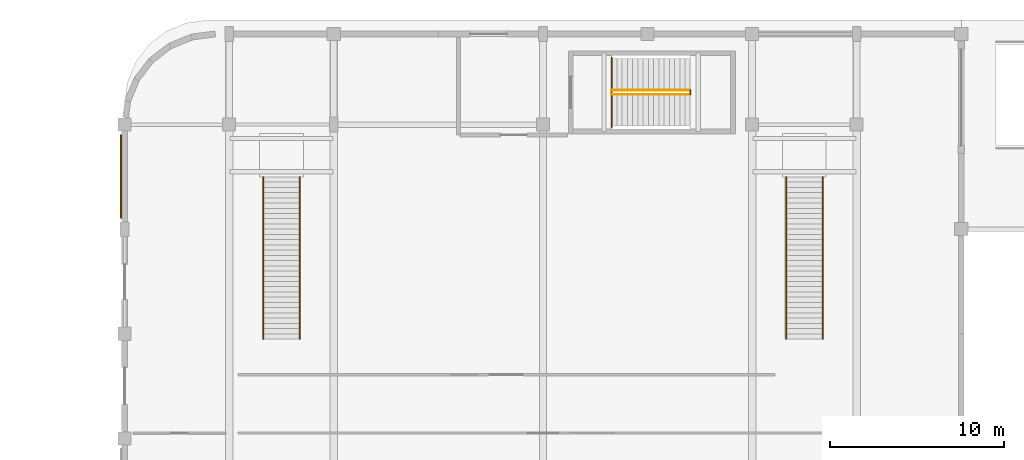
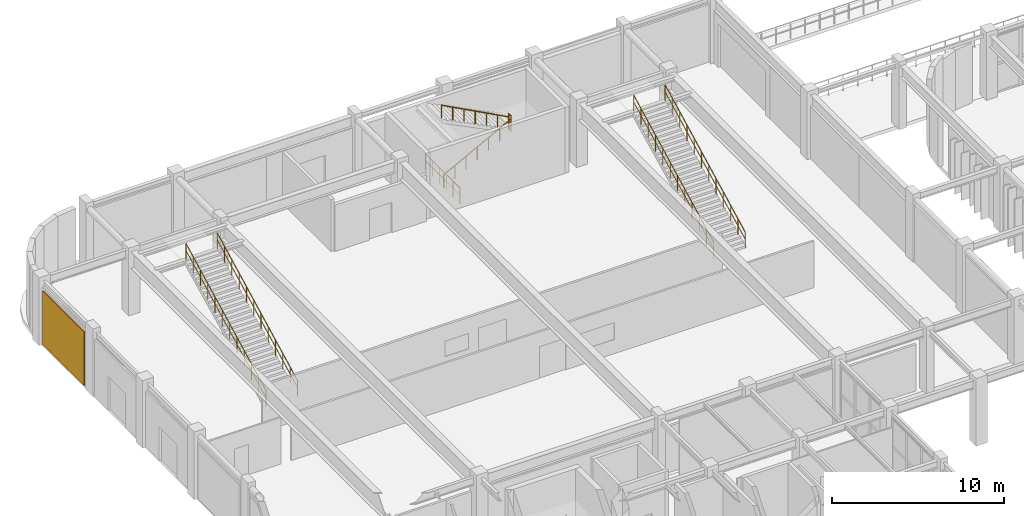
# One storey, part 70 of 76: 8 railings, 1 shading device.
"""IFC4 building model written with IfcOpenShell, lengths in metres."""

from ifc_helpers import new_model, si_unit, direction, frame, origin, origin_2d, place, context, subcontext, project, spatial, rectangle, circle, extrude, material, layer, layer_set, type_object, element, save


model = new_model("IFC4")

# Units and contexts
model_context = context("Model", 3, precision=1e-05, world=origin(), true_north=direction((0.0, 1.0)))
body_context = subcontext(model_context, "Body", "Model", "MODEL_VIEW")
ifc_project = project(units=[si_unit("LENGTHUNIT", "METRE"), si_unit("AREAUNIT", "SQUARE_METRE"), si_unit("VOLUMEUNIT", "CUBIC_METRE"), si_unit("PLANEANGLEUNIT", "RADIAN"), si_unit("MASSUNIT", "GRAM", prefix="KILO")], contexts=[model_context])

# Site, building, storey
site_placement = place(None, origin())
site = spatial("IfcSite", under=ifc_project, at=site_placement, CompositionType="ELEMENT")
building_placement = place(site_placement, origin())
building = spatial("IfcBuilding", under=site, at=building_placement, Name="Varnakota Square Police Headquarters", CompositionType="ELEMENT")
storey_placement = place(building_placement, origin())
storey = spatial("IfcBuildingStorey", under=building, at=storey_placement, Name="L00", CompositionType="ELEMENT", Elevation=0.0)

# Railings
ifc_material_1 = material(Name="Brushed Stainless Steel Tubular Handrail", Category="steel")
railing_type_1 = type_object("IfcRailingType", Name="RL-HND-920", PredefinedType="HANDRAIL", material=ifc_material_1)
railing_1_placement = place(storey_placement, frame((33.949951171875, 106.72998046875, 0.0)))
element("IfcRailing", 1, at=railing_1_placement, inside=storey, type_object=railing_type_1, Name="Stair flight handrail HR-L00-077", PredefinedType="HANDRAIL", context=body_context, shape_type="SweptSolid", body=[
    extrude(circle(Radius=0.02392578125, at=origin_2d()), frame((0.0, 0.0, 0.89599609375), z_axis=(0.882392687573, 0.0, 0.470513703219), x_axis=(0.0, 1.0, 0.0)), (0.0, 0.0, 1.0), 5.1005859375),
    extrude(circle(Radius=0.02099609375, at=origin_2d()), origin(), (0.0, 0.0, 1.0), 0.871826171875),
    extrude(circle(Radius=0.02099609375, at=origin_2d()), frame((0.75, 0.0, 0.39990234375)), (0.0, 0.0, 1.0), 0.871826171875),
    extrude(circle(Radius=0.02099609375, at=origin_2d()), frame((1.500244140625, 0.0, 0.800048828125)), (0.0, 0.0, 1.0), 0.871826171875),
    extrude(circle(Radius=0.02099609375, at=origin_2d()), frame((2.25048828125, 0.0, 1.199951171875)), (0.0, 0.0, 1.0), 0.871826171875),
    extrude(circle(Radius=0.02099609375, at=origin_2d()), frame((3.00048828125, 0.0, 1.599853515625)), (0.0, 0.0, 1.0), 0.871826171875),
    extrude(circle(Radius=0.02099609375, at=origin_2d()), frame((3.75048828125, 0.0, 2.0)), (0.0, 0.0, 1.0), 0.871826171875),
    extrude(circle(Radius=0.02099609375, at=origin_2d()), frame((4.500732421875, 0.0, 2.39990234375)), (0.0, 0.0, 1.0), 0.871826171875),
])
railing_2_placement = place(storey_placement, frame((38.45068359375, 106.969970703125, 2.39990234375)))
element("IfcRailing", 2, at=railing_2_placement, inside=storey, type_object=railing_type_1, Name="Stair flight handrail HR-L00-078", PredefinedType="HANDRAIL", context=body_context, shape_type="SweptSolid", body=[
    extrude(circle(Radius=0.02392578125, at=origin_2d()), frame((0.0, 0.0, 0.89599609375), z_axis=(-0.882372814714, 0.0, 0.470550970516), x_axis=(0.0, -1.0, 0.0)), (0.0, 0.0, 1.0), 5.100830078125),
    extrude(circle(Radius=0.02099609375, at=origin_2d()), origin(), (0.0, 0.0, 1.0), 0.871826171875),
    extrude(circle(Radius=0.02099609375, at=origin_2d()), frame((-0.75, 0.0, 0.39990234375)), (0.0, 0.0, 1.0), 0.871826171875),
    extrude(circle(Radius=0.02099609375, at=origin_2d()), frame((-1.500244140625, 0.0, 0.800048828125)), (0.0, 0.0, 1.0), 0.871826171875),
    extrude(circle(Radius=0.02099609375, at=origin_2d()), frame((-2.25048828125, 0.0, 1.2001953125)), (0.0, 0.0, 1.0), 0.871826171875),
    extrude(circle(Radius=0.02099609375, at=origin_2d()), frame((-3.00048828125, 0.0, 1.60009765625)), (0.0, 0.0, 1.0), 0.871826171875),
    extrude(circle(Radius=0.02099609375, at=origin_2d()), frame((-3.75048828125, 0.0, 2.0)), (0.0, 0.0, 1.0), 0.871826171875),
    extrude(circle(Radius=0.02099609375, at=origin_2d()), frame((-4.500732421875, 0.0, 2.400146484375)), (0.0, 0.0, 1.0), 0.871826171875),
])
railing_3_placement = place(storey_placement, frame((13.949951171875, 92.698486328125, 0.0)))
element("IfcRailing", 3, at=railing_3_placement, inside=storey, type_object=railing_type_1, Name="Feature stair guard-handrail ST-AUD1-L", PredefinedType="HANDRAIL", context=body_context, shape_type="SweptSolid", body=[
    extrude(circle(Radius=0.02392578125, at=origin_2d()), frame((0.0, 0.0, 1.1259765625), z_axis=(0.0, 0.888649173997, 0.45858766398), x_axis=(-1.0, 0.0, 0.0)), (0.0, 0.0, 1.0), 10.467041015625),
    extrude(circle(Radius=0.01806640625, at=origin_2d()), frame((0.0, 0.0, 0.63232421875), z_axis=(0.0, 0.888649173997, 0.45858766398), x_axis=(-1.0, 0.0, 0.0)), (0.0, 0.0, 1.0), 10.467041015625),
    extrude(circle(Radius=0.02099609375, at=origin_2d()), origin(), (0.0, 0.0, 1.0), 1.101806640625),
    extrude(circle(Radius=0.02099609375, at=origin_2d()), frame((0.0, 0.845703125, 0.436279296875)), (0.0, 0.0, 1.0), 1.101806640625),
    extrude(circle(Radius=0.02099609375, at=origin_2d()), frame((0.0, 1.691162109375, 0.872802734375)), (0.0, 0.0, 1.0), 1.101806640625),
    extrude(circle(Radius=0.02099609375, at=origin_2d()), frame((0.0, 2.536865234375, 1.30908203125)), (0.0, 0.0, 1.0), 1.101806640625),
    extrude(circle(Radius=0.02099609375, at=origin_2d()), frame((0.0, 3.38232421875, 1.745361328125)), (0.0, 0.0, 1.0), 1.101806640625),
    extrude(circle(Radius=0.02099609375, at=origin_2d()), frame((0.0, 4.22802734375, 2.181884765625)), (0.0, 0.0, 1.0), 1.101806640625),
    extrude(circle(Radius=0.02099609375, at=origin_2d()), frame((0.0, 5.073486328125, 2.6181640625)), (0.0, 0.0, 1.0), 1.101806640625),
    extrude(circle(Radius=0.02099609375, at=origin_2d()), frame((0.0, 5.919189453125, 3.0546875)), (0.0, 0.0, 1.0), 1.101806640625),
    extrude(circle(Radius=0.02099609375, at=origin_2d()), frame((0.0, 6.7646484375, 3.490966796875)), (0.0, 0.0, 1.0), 1.101806640625),
    extrude(circle(Radius=0.02099609375, at=origin_2d()), frame((0.0, 7.6103515625, 3.92724609375)), (0.0, 0.0, 1.0), 1.101806640625),
    extrude(circle(Radius=0.02099609375, at=origin_2d()), frame((0.0, 8.455810546875, 4.36376953125)), (0.0, 0.0, 1.0), 1.101806640625),
    extrude(circle(Radius=0.02099609375, at=origin_2d()), frame((0.0, 9.301513671875, 4.800048828125)), (0.0, 0.0, 1.0), 1.101806640625),
])
railing_4_placement = place(storey_placement, frame((16.050048828125, 92.698486328125, 0.0)))
element("IfcRailing", 4, at=railing_4_placement, inside=storey, type_object=railing_type_1, Name="Feature stair guard-handrail ST-AUD1-R", PredefinedType="HANDRAIL", context=body_context, shape_type="SweptSolid", body=[
    extrude(circle(Radius=0.02392578125, at=origin_2d()), frame((0.0, 0.0, 1.1259765625), z_axis=(0.0, 0.888649173997, 0.45858766398), x_axis=(-1.0, 0.0, 0.0)), (0.0, 0.0, 1.0), 10.467041015625),
    extrude(circle(Radius=0.01806640625, at=origin_2d()), frame((0.0, 0.0, 0.63232421875), z_axis=(0.0, 0.888649173997, 0.45858766398), x_axis=(-1.0, 0.0, 0.0)), (0.0, 0.0, 1.0), 10.467041015625),
    extrude(circle(Radius=0.02099609375, at=origin_2d()), origin(), (0.0, 0.0, 1.0), 1.101806640625),
    extrude(circle(Radius=0.02099609375, at=origin_2d()), frame((0.0, 0.845703125, 0.436279296875)), (0.0, 0.0, 1.0), 1.101806640625),
    extrude(circle(Radius=0.02099609375, at=origin_2d()), frame((0.0, 1.691162109375, 0.872802734375)), (0.0, 0.0, 1.0), 1.101806640625),
    extrude(circle(Radius=0.02099609375, at=origin_2d()), frame((0.0, 2.536865234375, 1.30908203125)), (0.0, 0.0, 1.0), 1.101806640625),
    extrude(circle(Radius=0.02099609375, at=origin_2d()), frame((0.0, 3.38232421875, 1.745361328125)), (0.0, 0.0, 1.0), 1.101806640625),
    extrude(circle(Radius=0.02099609375, at=origin_2d()), frame((0.0, 4.22802734375, 2.181884765625)), (0.0, 0.0, 1.0), 1.101806640625),
    extrude(circle(Radius=0.02099609375, at=origin_2d()), frame((0.0, 5.073486328125, 2.6181640625)), (0.0, 0.0, 1.0), 1.101806640625),
    extrude(circle(Radius=0.02099609375, at=origin_2d()), frame((0.0, 5.919189453125, 3.0546875)), (0.0, 0.0, 1.0), 1.101806640625),
    extrude(circle(Radius=0.02099609375, at=origin_2d()), frame((0.0, 6.7646484375, 3.490966796875)), (0.0, 0.0, 1.0), 1.101806640625),
    extrude(circle(Radius=0.02099609375, at=origin_2d()), frame((0.0, 7.6103515625, 3.92724609375)), (0.0, 0.0, 1.0), 1.101806640625),
    extrude(circle(Radius=0.02099609375, at=origin_2d()), frame((0.0, 8.455810546875, 4.36376953125)), (0.0, 0.0, 1.0), 1.101806640625),
    extrude(circle(Radius=0.02099609375, at=origin_2d()), frame((0.0, 9.301513671875, 4.800048828125)), (0.0, 0.0, 1.0), 1.101806640625),
])
railing_5_placement = place(storey_placement, frame((43.949951171875, 92.698486328125, 0.0)))
element("IfcRailing", 5, at=railing_5_placement, inside=storey, type_object=railing_type_1, Name="Feature stair guard-handrail ST-AUD2-L", PredefinedType="HANDRAIL", context=body_context, shape_type="SweptSolid", body=[
    extrude(circle(Radius=0.02392578125, at=origin_2d()), frame((0.0, 0.0, 1.1259765625), z_axis=(0.0, 0.888649173997, 0.45858766398), x_axis=(-1.0, 0.0, 0.0)), (0.0, 0.0, 1.0), 10.467041015625),
    extrude(circle(Radius=0.01806640625, at=origin_2d()), frame((0.0, 0.0, 0.63232421875), z_axis=(0.0, 0.888649173997, 0.45858766398), x_axis=(-1.0, 0.0, 0.0)), (0.0, 0.0, 1.0), 10.467041015625),
    extrude(circle(Radius=0.02099609375, at=origin_2d()), origin(), (0.0, 0.0, 1.0), 1.101806640625),
    extrude(circle(Radius=0.02099609375, at=origin_2d()), frame((0.0, 0.845703125, 0.436279296875)), (0.0, 0.0, 1.0), 1.101806640625),
    extrude(circle(Radius=0.02099609375, at=origin_2d()), frame((0.0, 1.691162109375, 0.872802734375)), (0.0, 0.0, 1.0), 1.101806640625),
    extrude(circle(Radius=0.02099609375, at=origin_2d()), frame((0.0, 2.536865234375, 1.30908203125)), (0.0, 0.0, 1.0), 1.101806640625),
    extrude(circle(Radius=0.02099609375, at=origin_2d()), frame((0.0, 3.38232421875, 1.745361328125)), (0.0, 0.0, 1.0), 1.101806640625),
    extrude(circle(Radius=0.02099609375, at=origin_2d()), frame((0.0, 4.22802734375, 2.181884765625)), (0.0, 0.0, 1.0), 1.101806640625),
    extrude(circle(Radius=0.02099609375, at=origin_2d()), frame((0.0, 5.073486328125, 2.6181640625)), (0.0, 0.0, 1.0), 1.101806640625),
    extrude(circle(Radius=0.02099609375, at=origin_2d()), frame((0.0, 5.919189453125, 3.0546875)), (0.0, 0.0, 1.0), 1.101806640625),
    extrude(circle(Radius=0.02099609375, at=origin_2d()), frame((0.0, 6.7646484375, 3.490966796875)), (0.0, 0.0, 1.0), 1.101806640625),
    extrude(circle(Radius=0.02099609375, at=origin_2d()), frame((0.0, 7.6103515625, 3.92724609375)), (0.0, 0.0, 1.0), 1.101806640625),
    extrude(circle(Radius=0.02099609375, at=origin_2d()), frame((0.0, 8.455810546875, 4.36376953125)), (0.0, 0.0, 1.0), 1.101806640625),
    extrude(circle(Radius=0.02099609375, at=origin_2d()), frame((0.0, 9.301513671875, 4.800048828125)), (0.0, 0.0, 1.0), 1.101806640625),
])
railing_6_placement = place(storey_placement, frame((46.050048828125, 92.698486328125, 0.0)))
element("IfcRailing", 6, at=railing_6_placement, inside=storey, type_object=railing_type_1, Name="Feature stair guard-handrail ST-AUD2-R", PredefinedType="HANDRAIL", context=body_context, shape_type="SweptSolid", body=[
    extrude(circle(Radius=0.02392578125, at=origin_2d()), frame((0.0, 0.0, 1.1259765625), z_axis=(0.0, 0.888649173997, 0.45858766398), x_axis=(-1.0, 0.0, 0.0)), (0.0, 0.0, 1.0), 10.467041015625),
    extrude(circle(Radius=0.01806640625, at=origin_2d()), frame((0.0, 0.0, 0.63232421875), z_axis=(0.0, 0.888649173997, 0.45858766398), x_axis=(-1.0, 0.0, 0.0)), (0.0, 0.0, 1.0), 10.467041015625),
    extrude(circle(Radius=0.02099609375, at=origin_2d()), origin(), (0.0, 0.0, 1.0), 1.101806640625),
    extrude(circle(Radius=0.02099609375, at=origin_2d()), frame((0.0, 0.845703125, 0.436279296875)), (0.0, 0.0, 1.0), 1.101806640625),
    extrude(circle(Radius=0.02099609375, at=origin_2d()), frame((0.0, 1.691162109375, 0.872802734375)), (0.0, 0.0, 1.0), 1.101806640625),
    extrude(circle(Radius=0.02099609375, at=origin_2d()), frame((0.0, 2.536865234375, 1.30908203125)), (0.0, 0.0, 1.0), 1.101806640625),
    extrude(circle(Radius=0.02099609375, at=origin_2d()), frame((0.0, 3.38232421875, 1.745361328125)), (0.0, 0.0, 1.0), 1.101806640625),
    extrude(circle(Radius=0.02099609375, at=origin_2d()), frame((0.0, 4.22802734375, 2.181884765625)), (0.0, 0.0, 1.0), 1.101806640625),
    extrude(circle(Radius=0.02099609375, at=origin_2d()), frame((0.0, 5.073486328125, 2.6181640625)), (0.0, 0.0, 1.0), 1.101806640625),
    extrude(circle(Radius=0.02099609375, at=origin_2d()), frame((0.0, 5.919189453125, 3.0546875)), (0.0, 0.0, 1.0), 1.101806640625),
    extrude(circle(Radius=0.02099609375, at=origin_2d()), frame((0.0, 6.7646484375, 3.490966796875)), (0.0, 0.0, 1.0), 1.101806640625),
    extrude(circle(Radius=0.02099609375, at=origin_2d()), frame((0.0, 7.6103515625, 3.92724609375)), (0.0, 0.0, 1.0), 1.101806640625),
    extrude(circle(Radius=0.02099609375, at=origin_2d()), frame((0.0, 8.455810546875, 4.36376953125)), (0.0, 0.0, 1.0), 1.101806640625),
    extrude(circle(Radius=0.02099609375, at=origin_2d()), frame((0.0, 9.301513671875, 4.800048828125)), (0.0, 0.0, 1.0), 1.101806640625),
])
ifc_material_2 = material(Name="Laminated Glass and Stainless Steel Balustrade", Category="steel")
railing_type_2 = type_object("IfcRailingType", Name="RL-INT-1150", PredefinedType="BALUSTRADE", material=ifc_material_2)
railing_7_placement = place(storey_placement, frame((33.949951171875, 104.840087890625, 0.0)))
element("IfcRailing", 7, at=railing_7_placement, inside=storey, type_object=railing_type_2, Name="Stair well safety guard C7 L00", PredefinedType="BALUSTRADE", context=body_context, shape_type="SweptSolid", body=[
    extrude(circle(Radius=0.02392578125, at=origin_2d()), frame((0.0, 0.0, 1.1259765625), z_axis=(0.0, 1.0, 0.0), x_axis=(-1.0, 0.0, 0.0)), (0.0, 0.0, 1.0), 4.02001953125),
    extrude(circle(Radius=0.01806640625, at=origin_2d()), frame((0.0, 0.0, 0.63232421875), z_axis=(0.0, 1.0, 0.0), x_axis=(-1.0, 0.0, 0.0)), (0.0, 0.0, 1.0), 4.02001953125),
    extrude(circle(Radius=0.02099609375, at=origin_2d()), origin(), (0.0, 0.0, 1.0), 1.101806640625),
    extrude(circle(Radius=0.02099609375, at=origin_2d()), frame((0.0, 0.803955078125, 0.0)), (0.0, 0.0, 1.0), 1.101806640625),
    extrude(circle(Radius=0.02099609375, at=origin_2d()), frame((0.0, 1.60791015625, 0.0)), (0.0, 0.0, 1.0), 1.101806640625),
    extrude(circle(Radius=0.02099609375, at=origin_2d()), frame((0.0, 2.412109375, 0.0)), (0.0, 0.0, 1.0), 1.101806640625),
    extrude(circle(Radius=0.02099609375, at=origin_2d()), frame((0.0, 3.216064453125, 0.0)), (0.0, 0.0, 1.0), 1.101806640625),
    extrude(circle(Radius=0.02099609375, at=origin_2d()), frame((0.0, 4.02001953125, 0.0)), (0.0, 0.0, 1.0), 1.101806640625),
])
railing_8_placement = place(storey_placement, frame((38.45068359375, 106.719970703125, 2.39990234375)))
element("IfcRailing", 8, at=railing_8_placement, inside=storey, type_object=railing_type_2, Name="Half-landing well guard C7 L00", PredefinedType="BALUSTRADE", context=body_context, shape_type="SweptSolid", body=[
    extrude(circle(Radius=0.02392578125, at=origin_2d()), frame((0.0, 0.0, 1.1259765625), z_axis=(0.0, 1.0, 0.0), x_axis=(-1.0, 0.0, 0.0)), (0.0, 0.0, 1.0), 0.260009765625),
    extrude(circle(Radius=0.01806640625, at=origin_2d()), frame((0.0, 0.0, 0.63232421875), z_axis=(0.0, 1.0, 0.0), x_axis=(-1.0, 0.0, 0.0)), (0.0, 0.0, 1.0), 0.260009765625),
    extrude(circle(Radius=0.02099609375, at=origin_2d()), origin(), (0.0, 0.0, 1.0), 1.101806640625),
    extrude(circle(Radius=0.02099609375, at=origin_2d()), frame((0.0, 0.260009765625, 0.0)), (0.0, 0.0, 1.0), 1.101806640625),
])

# Shading device
ifc_material_3 = material(Name="Perforated Sandstone-Toned GRC Jali Screen", Category="masonry")
ifc_layer = layer(ifc_material_3, 0.080078125, Name="Perforated Sandstone-Toned GRC Jali Screen")
ifc_layer_set = layer_set([ifc_layer], Name="Perforated Sandstone-Toned GRC Jali Screen")
shading_device_type = type_object("IfcShadingDeviceType", Name="SHD-SCR-GRC", PredefinedType="USERDEFINED", material=ifc_layer_set)
shading_device_placement = place(storey_placement, frame((5.7919921875, 102.02490234375, 0.14990234375), z_axis=(0.0, 0.0, 1.0), x_axis=(0.0, 1.0, 0.0)))
element("IfcShadingDevice", 9, at=shading_device_placement, inside=storey, type_object=shading_device_type, Name="Perforated GRC solar screen SCR-027", ObjectType="SOLAR SCREEN", PredefinedType="USERDEFINED", context=body_context, shape_type="SweptSolid", body=[
    extrude(rectangle(XDim=4.7919921875, YDim=0.080078125, at=origin_2d()), origin(), (0.0, 0.0, 1.0), 3.7900390625),
])

save(model, "model.ifc")
